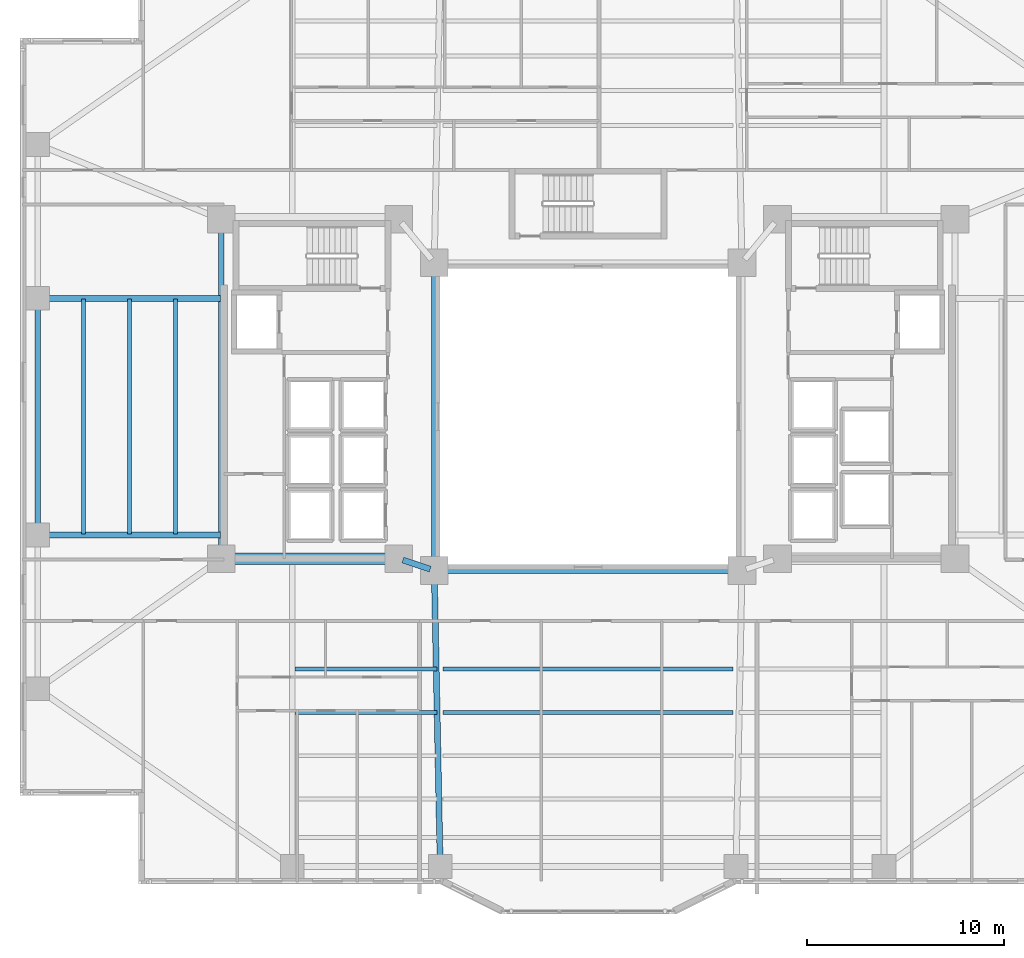
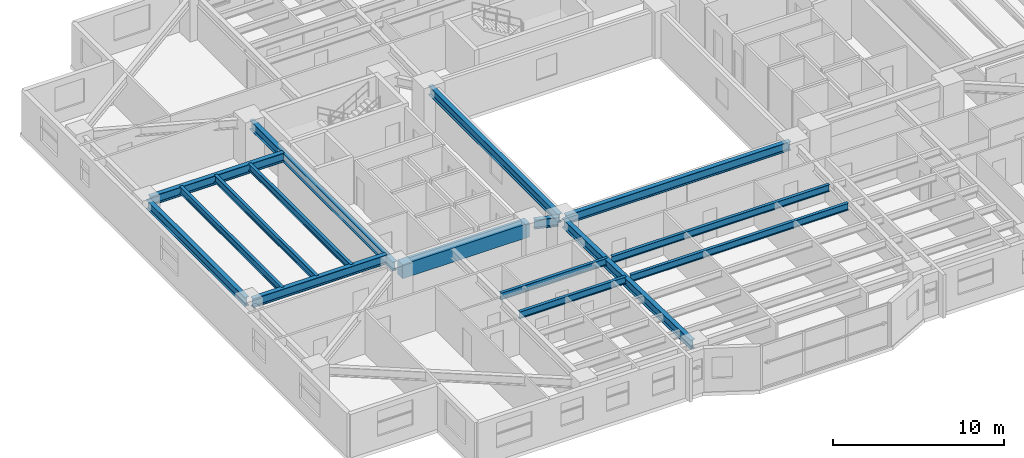
# One storey, part 3 of 20: 16 beams.
"""IFC4 building model written with IfcOpenShell, lengths in metres."""

from ifc_helpers import new_model, si_unit, direction, frame, origin, origin_2d, place, context, subcontext, project, spatial, rectangle, i_section, extrude, material, material_profile, profile_set, type_object, element, save


model = new_model("IFC4")

# Units and contexts
model_context = context("Model", 3, precision=1e-05, world=origin(), true_north=direction((0.0, 1.0)))
body_context = subcontext(model_context, "Body", "Model", "MODEL_VIEW")
ifc_project = project(units=[si_unit("LENGTHUNIT", "METRE"), si_unit("AREAUNIT", "SQUARE_METRE"), si_unit("VOLUMEUNIT", "CUBIC_METRE"), si_unit("PLANEANGLEUNIT", "RADIAN"), si_unit("MASSUNIT", "GRAM", prefix="KILO")], contexts=[model_context])

# Site, building, storey
site_placement = place(None, origin())
site = spatial("IfcSite", under=ifc_project, at=site_placement, CompositionType="ELEMENT")
building_placement = place(site_placement, origin())
building = spatial("IfcBuilding", under=site, at=building_placement, Name="Tarnavaz Court Tower", CompositionType="ELEMENT")
storey_placement = place(building_placement, frame((0.0, 0.0, 30.699951171875)))
storey = spatial("IfcBuildingStorey", under=building, at=storey_placement, Name="L07", CompositionType="ELEMENT", Elevation=30.699951171875)

# Beams
ifc_material_1 = material(Name="Concrete C60/75", Category="concrete")
ifc_material_profile_1 = material_profile(ifc_material_1, rectangle(XDim=0.60009765625, YDim=1.0, at=origin_2d()), Name="RC 600X1000")
ifc_profile_set_1 = profile_set([ifc_material_profile_1], Name="Concrete C60/75")
beam_type_1 = type_object("IfcBeamType", Name="BM-CB1000", PredefinedType="LINTEL", material=ifc_profile_set_1)
beam_1_placement = place(storey_placement, frame((-18.3798828125, -7.199951171875, 2.60009765625), z_axis=(1.0, 0.0, 0.0), x_axis=(0.0, 1.0, 0.0)))
element("IfcBeam", 1, at=beam_1_placement, inside=storey, type_object=beam_type_1, Name="L07 Beam IN-CW-SO-CW-SI", PredefinedType="LINTEL", context=body_context, shape_type="SweptSolid", body=[
    extrude(rectangle(XDim=0.60009765625, YDim=1.0, at=origin_2d()), origin(), (0.0, 0.0, 1.0), 8.559814453125),
])
ifc_material_2 = material(Name="Steel S355", Category="steel")
ifc_material_profile_2 = material_profile(ifc_material_2, i_section(OverallWidth=0.300048828125, OverallDepth=0.64990234375, WebThickness=0.01611328125, FlangeThickness=0.031005859375, FilletRadius=0.027099609375, at=origin_2d()), Name="HEB 650")
ifc_profile_set_2 = profile_set([ifc_material_profile_2], Name="Steel S355")
beam_type_2 = type_object("IfcBeamType", Name="BM-G-HEB650", PredefinedType="USERDEFINED", material=ifc_profile_set_2)
beam_2_placement = place(storey_placement, frame((-9.391357421875, -7.26953125, 2.775146484375), z_axis=(0.948666544706, -0.316278021615, 0.0), x_axis=(0.316278021615, 0.948666544706, 0.0)))
element("IfcBeam", 2, at=beam_2_placement, inside=storey, type_object=beam_type_2, Name="L07 Beam IN-CW-SI-IW-SW", ObjectType="GIRDER", PredefinedType="USERDEFINED", context=body_context, shape_type="SweptSolid", body=[
    extrude(i_section(OverallWidth=0.300048828125, OverallDepth=0.64990234375, WebThickness=0.01611328125, FlangeThickness=0.031005859375, FilletRadius=0.027099609375, at=origin_2d()), origin(), (0.0, 0.0, 1.0), 1.457275390625),
])
beam_3_placement = place(storey_placement, frame((-18.60009765625, -6.97998046875, 2.775146484375), z_axis=(0.0, 1.0, 0.0), x_axis=(-1.0, 0.0, 0.0)))
element("IfcBeam", 3, at=beam_3_placement, inside=storey, type_object=beam_type_2, Name="L07 Beam IN-CW-SO-CW-NO", ObjectType="GIRDER", PredefinedType="USERDEFINED", context=body_context, shape_type="SweptSolid", body=[
    extrude(i_section(OverallWidth=0.300048828125, OverallDepth=0.64990234375, WebThickness=0.01611328125, FlangeThickness=0.031005859375, FilletRadius=0.027099609375, at=origin_2d()), origin(), (0.0, 0.0, 1.0), 16.760009765625),
])
beam_4_placement = place(storey_placement, frame((-7.795654296875, -8.02001953125, 2.775146484375), z_axis=(0.020000023066, -0.999799979535, 0.0), x_axis=(0.999799979535, 0.020000023066, 0.0)))
element("IfcBeam", 4, at=beam_4_placement, inside=storey, type_object=beam_type_2, Name="L07 Beam RG-06", ObjectType="GIRDER", PredefinedType="USERDEFINED", context=body_context, shape_type="SweptSolid", body=[
    extrude(i_section(OverallWidth=0.300048828125, OverallDepth=0.64990234375, WebThickness=0.01611328125, FlangeThickness=0.031005859375, FilletRadius=0.027099609375, at=origin_2d()), origin(), (0.0, 0.0, 1.0), 14.56298828125),
])
for number, where, z_axis, x_axis, name in (
    (5, (-18.639892578125, -6.0, 2.775146484375), (-1.0, 0.0, 0.0), (0.0, -1.0, 0.0), "L07 Beam RG-13"),
    (6, (-18.639892578125, 6.0, 2.775146484375), (-1.0, 0.0, 0.0), (0.0, -1.0, 0.0), "L07 Beam RG-14"),
):
    element("IfcBeam", number, at=place(storey_placement, frame(where, z_axis=z_axis, x_axis=x_axis)), inside=storey, type_object=beam_type_2, Name=name, ObjectType="GIRDER", PredefinedType="USERDEFINED", context=body_context, shape_type="SweptSolid", body=[
        extrude(i_section(OverallWidth=0.300048828125, OverallDepth=0.64990234375, WebThickness=0.01611328125, FlangeThickness=0.031005859375, FilletRadius=0.027099609375, at=origin_2d()), origin(), (0.0, 0.0, 1.0), 9.0400390625),
    ])
ifc_material_profile_3 = material_profile(ifc_material_2, i_section(OverallWidth=0.199951171875, OverallDepth=0.5, WebThickness=0.01025390625, FlangeThickness=0.01611328125, FilletRadius=0.02099609375, at=origin_2d()), Name="IPE 500")
ifc_profile_set_3 = profile_set([ifc_material_profile_3], Name="Steel S355")
beam_type_3 = type_object("IfcBeamType", Name="BM-J-IPE500", PredefinedType="JOIST", material=ifc_profile_set_3)
beam_5_placement = place(storey_placement, frame((-14.85009765625, -12.7958984375, 2.85009765625), z_axis=(1.0, 0.0, 0.0), x_axis=(0.0, 1.0, 0.0)))
element("IfcBeam", 7, at=beam_5_placement, inside=storey, type_object=beam_type_3, Name="L07 Beam JS1-1", PredefinedType="JOIST", context=body_context, shape_type="SweptSolid", body=[
    extrude(i_section(OverallWidth=0.199951171875, OverallDepth=0.5, WebThickness=0.01025390625, FlangeThickness=0.01611328125, FilletRadius=0.02099609375, at=origin_2d()), origin(), (0.0, 0.0, 1.0), 7.2001953125),
])
beam_6_placement = place(storey_placement, frame((-7.35009765625, -12.7958984375, 2.85009765625), z_axis=(1.0, 0.0, 0.0), x_axis=(0.0, 1.0, 0.0)))
element("IfcBeam", 8, at=beam_6_placement, inside=storey, type_object=beam_type_3, Name="L07 Beam JS1-2", PredefinedType="JOIST", context=body_context, shape_type="SweptSolid", body=[
    extrude(i_section(OverallWidth=0.199951171875, OverallDepth=0.5, WebThickness=0.01025390625, FlangeThickness=0.01611328125, FilletRadius=0.02099609375, at=origin_2d()), origin(), (0.0, 0.0, 1.0), 14.7001953125),
])
beam_7_placement = place(storey_placement, frame((-14.85009765625, -14.991943359375, 2.85009765625), z_axis=(1.0, 0.0, 0.0), x_axis=(0.0, 1.0, 0.0)))
element("IfcBeam", 9, at=beam_7_placement, inside=storey, type_object=beam_type_3, Name="L07 Beam JS2-1", PredefinedType="JOIST", context=body_context, shape_type="SweptSolid", body=[
    extrude(i_section(OverallWidth=0.199951171875, OverallDepth=0.5, WebThickness=0.01025390625, FlangeThickness=0.01611328125, FilletRadius=0.02099609375, at=origin_2d()), origin(), (0.0, 0.0, 1.0), 7.2001953125),
])
beam_8_placement = place(storey_placement, frame((-7.35009765625, -14.991943359375, 2.85009765625), z_axis=(1.0, 0.0, 0.0), x_axis=(0.0, 1.0, 0.0)))
element("IfcBeam", 10, at=beam_8_placement, inside=storey, type_object=beam_type_3, Name="L07 Beam JS2-2", PredefinedType="JOIST", context=body_context, shape_type="SweptSolid", body=[
    extrude(i_section(OverallWidth=0.199951171875, OverallDepth=0.5, WebThickness=0.01025390625, FlangeThickness=0.01611328125, FilletRadius=0.02099609375, at=origin_2d()), origin(), (0.0, 0.0, 1.0), 14.7001953125),
])
for number, where, z_axis, x_axis, name in (
    (11, (-20.925048828125, -5.9599609375, 2.85009765625), (0.0, 1.0, 0.0), (-1.0, 0.0, 0.0), "L07 Beam JW1"),
    (12, (-23.25, -5.9599609375, 2.85009765625), (0.0, 1.0, 0.0), (-1.0, 0.0, 0.0), "L07 Beam JW2"),
    (13, (-25.574951171875, -5.9599609375, 2.85009765625), (0.0, 1.0, 0.0), (-1.0, 0.0, 0.0), "L07 Beam JW3"),
):
    element("IfcBeam", number, at=place(storey_placement, frame(where, z_axis=z_axis, x_axis=x_axis)), inside=storey, type_object=beam_type_3, Name=name, PredefinedType="JOIST", context=body_context, shape_type="SweptSolid", body=[
        extrude(i_section(OverallWidth=0.199951171875, OverallDepth=0.5, WebThickness=0.01025390625, FlangeThickness=0.01611328125, FilletRadius=0.02099609375, at=origin_2d()), origin(), (0.0, 0.0, 1.0), 11.919921875),
    ])
ifc_material_profile_4 = material_profile(ifc_material_2, i_section(OverallWidth=0.300048828125, OverallDepth=0.639892578125, WebThickness=0.013427734375, FlangeThickness=0.02587890625, FilletRadius=0.027099609375, at=origin_2d()), Name="HEA 650")
ifc_profile_set_4 = profile_set([ifc_material_profile_4], Name="Steel S355")
beam_type_4 = type_object("IfcBeamType", Name="BM-SP-HEA650", PredefinedType="SPANDREL", material=ifc_profile_set_4)
for number, where, z_axis, x_axis, name in (
    (14, (-7.580078125, -7.800048828125, 2.780029296875), (1.0, 0.0, 0.0), (0.0, 1.0, 0.0), "L07 Beam IN-IW-SW-IW-SE"),
    (15, (-7.800048828125, -7.580078125, 2.780029296875), (0.0, 1.0, 0.0), (-1.0, 0.0, 0.0), "L07 Beam IN-IW-SW-IW-NW"),
):
    element("IfcBeam", number, at=place(storey_placement, frame(where, z_axis=z_axis, x_axis=x_axis)), inside=storey, type_object=beam_type_4, Name=name, PredefinedType="SPANDREL", context=body_context, shape_type="SweptSolid", body=[
        extrude(i_section(OverallWidth=0.300048828125, OverallDepth=0.639892578125, WebThickness=0.013427734375, FlangeThickness=0.02587890625, FilletRadius=0.027099609375, at=origin_2d()), origin(), (0.0, 0.0, 1.0), 15.16015625),
    ])
beam_9_placement = place(storey_placement, frame((-27.89990234375, -5.780029296875, 2.780029296875), z_axis=(0.0, 1.0, 0.0), x_axis=(-1.0, 0.0, 0.0)))
element("IfcBeam", 16, at=beam_9_placement, inside=storey, type_object=beam_type_4, Name="L07 Beam PR-PW-2-PW-3", PredefinedType="SPANDREL", context=body_context, shape_type="SweptSolid", body=[
    extrude(i_section(OverallWidth=0.300048828125, OverallDepth=0.639892578125, WebThickness=0.013427734375, FlangeThickness=0.02587890625, FilletRadius=0.027099609375, at=origin_2d()), origin(), (0.0, 0.0, 1.0), 11.56005859375),
])

save(model, "model.ifc")
